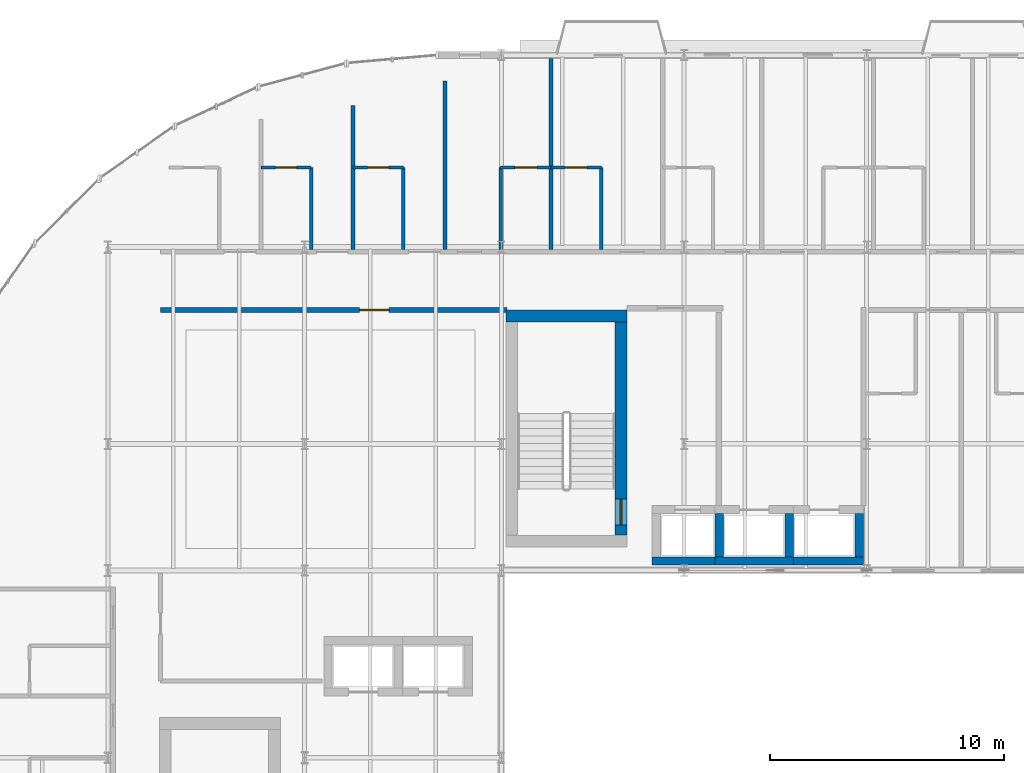
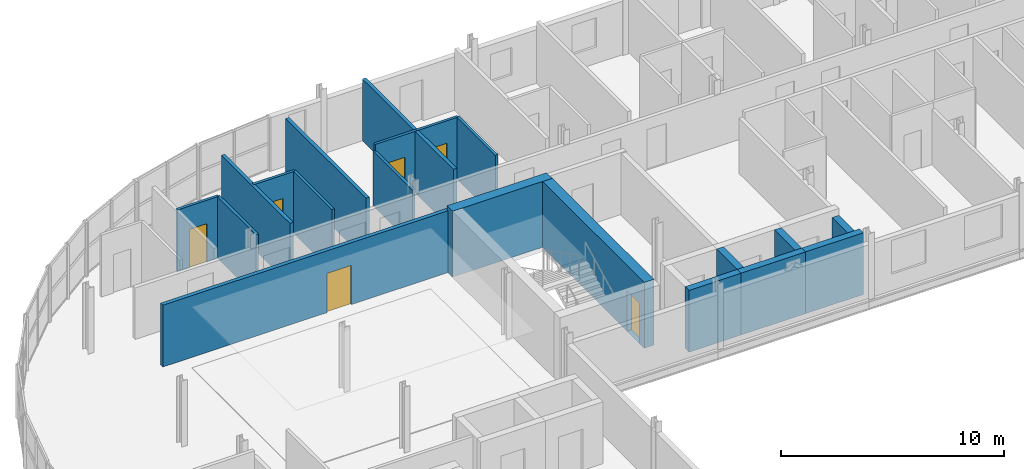
# One storey, part 19 of 30: 20 walls, 6 doors, 6 openings.
"""IFC4 building model written with IfcOpenShell, lengths in metres."""

from ifc_helpers import new_model, si_unit, direction, frame, frame_2d, origin, place, context, subcontext, project, spatial, rectangle, extrude, material, layer, layer_set, type_object, element, fill, save


model = new_model("IFC4")

# Units and contexts
model_context = context("Model", 3, precision=1e-05, world=origin(), true_north=direction((0.0, 1.0)))
body_context = subcontext(model_context, "Body", "Model", "MODEL_VIEW")
ifc_project = project(units=[si_unit("LENGTHUNIT", "METRE"), si_unit("AREAUNIT", "SQUARE_METRE"), si_unit("VOLUMEUNIT", "CUBIC_METRE"), si_unit("PLANEANGLEUNIT", "RADIAN"), si_unit("MASSUNIT", "GRAM", prefix="KILO")], contexts=[model_context])

# Site, building, storey
site_placement = place(None, origin())
site = spatial("IfcSite", under=ifc_project, at=site_placement, CompositionType="ELEMENT")
building_placement = place(site_placement, origin())
building = spatial("IfcBuilding", under=site, at=building_placement, Name="Sefraquen Railside Congress Hotel", CompositionType="ELEMENT")
storey_placement = place(building_placement, frame((0.0, 0.0, 35.39990234375)))
storey = spatial("IfcBuildingStorey", under=building, at=storey_placement, Name="L08", CompositionType="ELEMENT", Elevation=35.39990234375)

# Walls
ifc_material_1 = material(Name="Concrete C50/60", Category="concrete")
ifc_layer_1 = layer(ifc_material_1, 0.35009765625)
ifc_layer_set_1 = layer_set([ifc_layer_1], Name="Concrete C50/60")
wall_type_1 = type_object("IfcWallType", Name="TW-CW-350", PredefinedType="SHEAR", material=ifc_layer_set_1)
wall_1_placement = place(storey_placement, frame((31.639892578125, 96.405029296875, 0.0), z_axis=(0.0, 0.0, 1.0), x_axis=(1.0, 0.0, 0.0)))
element("IfcWall", 1, at=wall_1_placement, inside=storey, type_object=wall_type_1, Name="Lift FL-02 shaft wall S L08", PredefinedType="SHEAR", context=body_context, shape_type="SweptSolid", body=[
    extrude(rectangle(XDim=2.690185546875, YDim=0.35009765625, at=frame_2d((1.34521484375, 0.0))), origin(), (0.0, 0.0, 1.0), 3.380126953125),
])
wall_2_placement = place(storey_placement, frame((34.330078125, 96.405029296875, 0.0), z_axis=(0.0, 0.0, 1.0), x_axis=(1.0, 0.0, 0.0)))
element("IfcWall", 2, at=wall_2_placement, inside=storey, type_object=wall_type_1, Name="Lift PL-03 shaft wall S L08", PredefinedType="SHEAR", context=body_context, shape_type="SweptSolid", body=[
    extrude(rectangle(XDim=3.33984375, YDim=0.35009765625, at=frame_2d((1.669921875, 0.0))), origin(), (0.0, 0.0, 1.0), 3.380126953125),
])
for number, where, z_axis, x_axis, name in (
    (3, (34.5048828125, 96.580078125, 0.0), (0.0, 0.0, 1.0), (0.0, 1.0, 0.0), "Lift PL-03 shaft wall W L08"),
    (4, (37.4951171875, 96.580078125, 0.0), (0.0, 0.0, 1.0), (0.0, 1.0, 0.0), "Lift PL-03 shaft wall E L08"),
):
    element("IfcWall", number, at=place(storey_placement, frame(where, z_axis=z_axis, x_axis=x_axis)), inside=storey, type_object=wall_type_1, Name=name, PredefinedType="SHEAR", context=body_context, shape_type="SweptSolid", body=[
        extrude(rectangle(XDim=1.83984375, YDim=0.35009765625, at=frame_2d((0.919921875, 0.0))), origin(), (0.0, 0.0, 1.0), 3.380126953125),
    ])
wall_3_placement = place(storey_placement, frame((37.669921875, 96.405029296875, 0.0), z_axis=(0.0, 0.0, 1.0), x_axis=(1.0, 0.0, 0.0)))
element("IfcWall", 5, at=wall_3_placement, inside=storey, type_object=wall_type_1, Name="Lift PL-04 shaft wall S L08", PredefinedType="SHEAR", context=body_context, shape_type="SweptSolid", body=[
    extrude(rectangle(XDim=2.989990234375, YDim=0.35009765625, at=frame_2d((1.4951171875, 0.0))), origin(), (0.0, 0.0, 1.0), 3.380126953125),
])
wall_4_placement = place(storey_placement, frame((40.485107421875, 96.580078125, 0.0), z_axis=(0.0, 0.0, 1.0), x_axis=(0.0, 1.0, 0.0)))
element("IfcWall", 6, at=wall_4_placement, inside=storey, type_object=wall_type_1, Name="Lift PL-04 shaft wall E L08", PredefinedType="SHEAR", context=body_context, shape_type="SweptSolid", body=[
    extrude(rectangle(XDim=1.83984375, YDim=0.35009765625, at=frame_2d((0.919921875, 0.0))), origin(), (0.0, 0.0, 1.0), 3.010009765625),
])
ifc_layer_2 = layer(ifc_material_1, 0.5)
ifc_layer_set_2 = layer_set([ifc_layer_2], Name="Concrete C50/60")
wall_type_2 = type_object("IfcWallType", Name="TW-CW-500", PredefinedType="SHEAR", material=ifc_layer_set_2)
wall_5_placement = place(storey_placement, frame((25.39990234375, 106.862060546875, 0.0), z_axis=(0.0, 0.0, 1.0), x_axis=(1.0, 0.0, 0.0)))
element("IfcWall", 7, at=wall_5_placement, inside=storey, type_object=wall_type_2, Name="Core shear wall ST-H02 N L08", PredefinedType="SHEAR", context=body_context, shape_type="SweptSolid", body=[
    extrude(rectangle(XDim=5.16015625, YDim=0.5, at=frame_2d((2.580078125, 0.0))), origin(), (0.0, 0.0, 1.0), 3.60009765625),
])

# Wall, opening, door
wall_6_placement = place(storey_placement, frame((30.31005859375, 97.5, 0.0), z_axis=(0.0, 0.0, 1.0), x_axis=(0.0, 1.0, 0.0)))
wall_6 = element("IfcWall", 8, at=wall_6_placement, inside=storey, type_object=wall_type_2, Name="Core shear wall ST-H02 E L08", PredefinedType="SHEAR", context=body_context, shape_type="SweptSolid", body=[
    extrude(rectangle(XDim=9.112060546875, YDim=0.5, at=frame_2d((4.55615234375, 0.0))), origin(), (0.0, 0.0, 1.0), 3.60009765625),
])
opening_1_placement = place(wall_6_placement, frame((0.43994140625, 0.0, 0.0)))
opening_1 = element("IfcOpeningElement", 9, at=opening_1_placement, cuts=wall_6, Name="Opening FD-04", PredefinedType="OPENING", context=body_context, shape_type="SweptSolid", body=[
    extrude(rectangle(XDim=1.10009765625, YDim=2.199951171875, at=frame_2d((0.550048828125, 1.10009765625))), frame((0.0, 0.260009765625, 0.0), z_axis=(0.0, -1.0, 0.0), x_axis=(1.0, 0.0, 0.0)), (0.0, 0.0, 1.0), 0.52001953125),
])
ifc_material_2 = material(Name="Fire-rated steel", Category="steel")
door_type_1 = type_object("IfcDoorType", Name="TD-FD-04", OperationType="NOTDEFINED", PredefinedType="DOOR", material=ifc_material_2)
door_1_placement = place(opening_1_placement, origin())
door_1 = element("IfcDoor", 10, at=door_1_placement, inside=storey, type_object=door_type_1, Name="Pressurized stair ST-H02 fire door L08", OperationType="SINGLE_SWING_RIGHT", OverallHeight=2.199951171875, OverallWidth=1.10009765625, PredefinedType="DOOR", context=body_context, shape_type="SweptSolid", body=[
    extrude(rectangle(XDim=1.10009765625, YDim=2.199951171875, at=frame_2d((0.550048828125, 1.10009765625))), frame((0.0, 0.02490234375, 0.0), z_axis=(0.0, -1.0, 0.0), x_axis=(1.0, 0.0, 0.0)), (0.0, 0.0, 1.0), 0.050048828125),
])
fill(opening_1, door_1)

# Wall
ifc_material_3 = material(Name="Moisture-resistant gypsum board", Category="gypsum")
ifc_layer_3 = layer(ifc_material_3, 0.139892578125)
ifc_layer_set_3 = layer_set([ifc_layer_3], Name="Moisture-resistant gypsum board")
wall_type_3 = type_object("IfcWallType", Name="TW-PW-140", PredefinedType="PARTITIONING", material=ifc_layer_set_3)
wall_7_placement = place(storey_placement, frame((25.169921875, 109.699951171875, 0.0), z_axis=(0.0, 0.0, 1.0), x_axis=(0.0, 1.0, 0.0)))
element("IfcWall", 11, at=wall_7_placement, inside=storey, type_object=wall_type_3, Name="En-suite bathroom west wall RM-001", PredefinedType="PARTITIONING", context=body_context, shape_type="SweptSolid", body=[
    extrude(rectangle(XDim=3.5, YDim=0.139892578125, at=frame_2d((1.75, 0.0))), origin(), (0.0, 0.0, 1.0), 3.010009765625),
])

# Wall, opening, door
wall_8_placement = place(storey_placement, frame((25.169921875, 113.199951171875, 0.0), z_axis=(0.0, 0.0, 1.0), x_axis=(1.0, 0.0, 0.0)))
wall_8 = element("IfcWall", 12, at=wall_8_placement, inside=storey, type_object=wall_type_3, Name="En-suite bathroom north wall RM-001", PredefinedType="PARTITIONING", context=body_context, shape_type="SweptSolid", body=[
    extrude(rectangle(XDim=2.150146484375, YDim=0.139892578125, at=frame_2d((1.0751953125, 0.0))), origin(), (0.0, 0.0, 1.0), 3.380126953125),
])
opening_2_placement = place(wall_8_placement, frame((0.60498046875, 0.0, 0.0)))
opening_2 = element("IfcOpeningElement", 13, at=opening_2_placement, cuts=wall_8, Name="Opening ID-01", PredefinedType="OPENING", context=body_context, shape_type="SweptSolid", body=[
    extrude(rectangle(XDim=0.93994140625, YDim=2.14990234375, at=frame_2d((0.469970703125, 1.074951171875))), frame((0.0, 0.079833984375, 0.0), z_axis=(0.0, -1.0, 0.0), x_axis=(1.0, 0.0, 0.0)), (0.0, 0.0, 1.0), 0.159912109375),
])
ifc_material_4 = material(Name="Lacquered cedar joinery", Category="wood")
door_type_2 = type_object("IfcDoorType", Name="TD-ID-01", OperationType="NOTDEFINED", PredefinedType="DOOR", material=ifc_material_4)
door_2_placement = place(opening_2_placement, origin())
door_2 = element("IfcDoor", 14, at=door_2_placement, inside=storey, type_object=door_type_2, Name="En-suite bathroom door RM-001", OperationType="SINGLE_SWING_LEFT", OverallHeight=2.14990234375, OverallWidth=0.93994140625, PredefinedType="DOOR", context=body_context, shape_type="SweptSolid", body=[
    extrude(rectangle(XDim=0.93994140625, YDim=2.14990234375, at=frame_2d((0.469970703125, 1.074951171875))), frame((0.0, 0.02490234375, 0.0), z_axis=(0.0, -1.0, 0.0), x_axis=(1.0, 0.0, 0.0)), (0.0, 0.0, 1.0), 0.050048828125),
])
fill(opening_2, door_2)

# Wall
wall_9_placement = place(storey_placement, frame((29.469970703125, 109.699951171875, 0.0), z_axis=(0.0, 0.0, 1.0), x_axis=(0.0, 1.0, 0.0)))
element("IfcWall", 15, at=wall_9_placement, inside=storey, type_object=wall_type_3, Name="En-suite bathroom east wall RM-002", PredefinedType="PARTITIONING", context=body_context, shape_type="SweptSolid", body=[
    extrude(rectangle(XDim=3.5, YDim=0.139892578125, at=frame_2d((1.75, 0.0))), origin(), (0.0, 0.0, 1.0), 3.380126953125),
])

# Wall, opening, door
wall_10_placement = place(storey_placement, frame((27.320068359375, 113.199951171875, 0.0), z_axis=(0.0, 0.0, 1.0), x_axis=(1.0, 0.0, 0.0)))
wall_10 = element("IfcWall", 16, at=wall_10_placement, inside=storey, type_object=wall_type_3, Name="En-suite bathroom north wall RM-002", PredefinedType="PARTITIONING", context=body_context, shape_type="SweptSolid", body=[
    extrude(rectangle(XDim=2.14990234375, YDim=0.139892578125, at=frame_2d((1.074951171875, 0.0))), origin(), (0.0, 0.0, 1.0), 3.380126953125),
])
opening_3_placement = place(wall_10_placement, frame((0.60498046875, 0.0, 0.0)))
opening_3 = element("IfcOpeningElement", 17, at=opening_3_placement, cuts=wall_10, Name="Opening ID-01", PredefinedType="OPENING", context=body_context, shape_type="SweptSolid", body=[
    extrude(rectangle(XDim=0.93994140625, YDim=2.14990234375, at=frame_2d((0.469970703125, 1.074951171875))), frame((0.0, 0.079833984375, 0.0), z_axis=(0.0, -1.0, 0.0), x_axis=(1.0, 0.0, 0.0)), (0.0, 0.0, 1.0), 0.159912109375),
])
door_3_placement = place(opening_3_placement, origin())
door_3 = element("IfcDoor", 18, at=door_3_placement, inside=storey, type_object=door_type_2, Name="En-suite bathroom door RM-002", OperationType="SINGLE_SWING_LEFT", OverallHeight=2.14990234375, OverallWidth=0.93994140625, PredefinedType="DOOR", context=body_context, shape_type="SweptSolid", body=[
    extrude(rectangle(XDim=0.93994140625, YDim=2.14990234375, at=frame_2d((0.469970703125, 1.074951171875))), frame((0.0, 0.02490234375, 0.0), z_axis=(0.0, -1.0, 0.0), x_axis=(1.0, 0.0, 0.0)), (0.0, 0.0, 1.0), 0.050048828125),
])
fill(opening_3, door_3)

# Wall
wall_11_placement = place(storey_placement, frame((17.0830078125, 109.699951171875, 0.0), z_axis=(0.0, 0.0, 1.0), x_axis=(0.0, 1.0, 0.0)))
element("IfcWall", 19, at=wall_11_placement, inside=storey, type_object=wall_type_3, Name="En-suite bathroom east wall RM-035", PredefinedType="PARTITIONING", context=body_context, shape_type="SweptSolid", body=[
    extrude(rectangle(XDim=3.5, YDim=0.139892578125, at=frame_2d((1.75, 0.0))), origin(), (0.0, 0.0, 1.0), 3.380126953125),
])

# Wall, opening, door
wall_12_placement = place(storey_placement, frame((14.93310546875, 113.199951171875, 0.0), z_axis=(0.0, 0.0, 1.0), x_axis=(1.0, 0.0, 0.0)))
wall_12 = element("IfcWall", 20, at=wall_12_placement, inside=storey, type_object=wall_type_3, Name="En-suite bathroom north wall RM-035", PredefinedType="PARTITIONING", context=body_context, shape_type="SweptSolid", body=[
    extrude(rectangle(XDim=2.14990234375, YDim=0.139892578125, at=frame_2d((1.074951171875, 0.0))), origin(), (0.0, 0.0, 1.0), 3.380126953125),
])
opening_4_placement = place(wall_12_placement, frame((0.625, 0.0, 0.0)))
opening_4 = element("IfcOpeningElement", 21, at=opening_4_placement, cuts=wall_12, Name="Opening ID-02", PredefinedType="OPENING", context=body_context, shape_type="SweptSolid", body=[
    extrude(rectangle(XDim=0.89990234375, YDim=2.10009765625, at=frame_2d((0.449951171875, 1.050048828125))), frame((0.0, 0.079833984375, 0.0), z_axis=(0.0, -1.0, 0.0), x_axis=(1.0, 0.0, 0.0)), (0.0, 0.0, 1.0), 0.159912109375),
])
door_type_3 = type_object("IfcDoorType", Name="TD-ID-02", OperationType="NOTDEFINED", PredefinedType="DOOR", material=ifc_material_4)
door_4_placement = place(opening_4_placement, origin())
door_4 = element("IfcDoor", 22, at=door_4_placement, inside=storey, type_object=door_type_3, Name="En-suite bathroom door RM-035", OperationType="SINGLE_SWING_LEFT", OverallHeight=2.10009765625, OverallWidth=0.89990234375, PredefinedType="DOOR", context=body_context, shape_type="SweptSolid", body=[
    extrude(rectangle(XDim=0.89990234375, YDim=2.10009765625, at=frame_2d((0.449951171875, 1.050048828125))), frame((0.0, 0.02490234375, 0.0), z_axis=(0.0, -1.0, 0.0), x_axis=(1.0, 0.0, 0.0)), (0.0, 0.0, 1.0), 0.050048828125),
])
fill(opening_4, door_4)

# Wall
wall_13_placement = place(storey_placement, frame((21.01708984375, 109.699951171875, 0.0), z_axis=(0.0, 0.0, 1.0), x_axis=(0.0, 1.0, 0.0)))
element("IfcWall", 23, at=wall_13_placement, inside=storey, type_object=wall_type_3, Name="En-suite bathroom east wall RM-036", PredefinedType="PARTITIONING", context=body_context, shape_type="SweptSolid", body=[
    extrude(rectangle(XDim=3.5, YDim=0.139892578125, at=frame_2d((1.75, 0.0))), origin(), (0.0, 0.0, 1.0), 3.380126953125),
])

# Wall, opening, door
wall_14_placement = place(storey_placement, frame((18.866943359375, 113.199951171875, 0.0), z_axis=(0.0, 0.0, 1.0), x_axis=(1.0, 0.0, 0.0)))
wall_14 = element("IfcWall", 24, at=wall_14_placement, inside=storey, type_object=wall_type_3, Name="En-suite bathroom north wall RM-036", PredefinedType="PARTITIONING", context=body_context, shape_type="SweptSolid", body=[
    extrude(rectangle(XDim=2.150146484375, YDim=0.139892578125, at=frame_2d((1.0751953125, 0.0))), origin(), (0.0, 0.0, 1.0), 3.380126953125),
])
opening_5_placement = place(wall_14_placement, frame((0.625, 0.0, 0.0)))
opening_5 = element("IfcOpeningElement", 25, at=opening_5_placement, cuts=wall_14, Name="Opening ID-02", PredefinedType="OPENING", context=body_context, shape_type="SweptSolid", body=[
    extrude(rectangle(XDim=0.89990234375, YDim=2.10009765625, at=frame_2d((0.449951171875, 1.050048828125))), frame((0.0, 0.079833984375, 0.0), z_axis=(0.0, -1.0, 0.0), x_axis=(1.0, 0.0, 0.0)), (0.0, 0.0, 1.0), 0.159912109375),
])
door_5_placement = place(opening_5_placement, origin())
door_5 = element("IfcDoor", 26, at=door_5_placement, inside=storey, type_object=door_type_3, Name="En-suite bathroom door RM-036", OperationType="SINGLE_SWING_RIGHT", OverallHeight=2.10009765625, OverallWidth=0.89990234375, PredefinedType="DOOR", context=body_context, shape_type="SweptSolid", body=[
    extrude(rectangle(XDim=0.89990234375, YDim=2.10009765625, at=frame_2d((0.449951171875, 1.050048828125))), frame((0.0, 0.02490234375, 0.0), z_axis=(0.0, -1.0, 0.0), x_axis=(1.0, 0.0, 0.0)), (0.0, 0.0, 1.0), 0.050048828125),
])
fill(opening_5, door_5)

# Walls
ifc_material_5 = material(Name="Acoustic gypsum board on metal stud", Category="gypsum")
ifc_layer_4 = layer(ifc_material_5, 0.179931640625)
ifc_layer_set_4 = layer_set([ifc_layer_4], Name="Acoustic gypsum board on metal stud")
wall_type_4 = type_object("IfcWallType", Name="TW-PW-180", PredefinedType="PARTITIONING", material=ifc_layer_set_4)
wall_15_placement = place(storey_placement, frame((27.320068359375, 109.699951171875, 0.0), z_axis=(0.0, 0.0, 1.0), x_axis=(0.0, 1.0, 0.0)))
element("IfcWall", 27, at=wall_15_placement, inside=storey, type_object=wall_type_4, Name="Guest room demising wall RM-001", PredefinedType="PARTITIONING", context=body_context, shape_type="SweptSolid", body=[
    extrude(rectangle(XDim=8.150146484375, YDim=0.179931640625, at=frame_2d((4.0751953125, 0.0))), origin(), (0.0, 0.0, 1.0), 3.380126953125),
])
wall_16_placement = place(storey_placement, frame((18.866943359375, 109.699951171875, 0.0), z_axis=(0.0, 0.0, 1.0), x_axis=(0.0, 1.0, 0.0)))
element("IfcWall", 28, at=wall_16_placement, inside=storey, type_object=wall_type_4, Name="Guest room demising wall RM-035", PredefinedType="PARTITIONING", context=body_context, shape_type="SweptSolid", body=[
    extrude(rectangle(XDim=6.150146484375, YDim=0.179931640625, at=frame_2d((3.0751953125, 0.0))), origin(), (0.0, 0.0, 1.0), 3.380126953125),
])
wall_17_placement = place(storey_placement, frame((22.800048828125, 109.699951171875, 0.0), z_axis=(0.0, 0.0, 1.0), x_axis=(0.0, 1.0, 0.0)))
element("IfcWall", 29, at=wall_17_placement, inside=storey, type_object=wall_type_4, Name="Guest room demising wall RM-036", PredefinedType="PARTITIONING", context=body_context, shape_type="SweptSolid", body=[
    extrude(rectangle(XDim=7.199951171875, YDim=0.179931640625, at=frame_2d((3.60009765625, 0.0))), origin(), (0.0, 0.0, 1.0), 3.380126953125),
])

# Wall, opening, door
ifc_layer_5 = layer(ifc_material_5, 0.199951171875)
ifc_layer_set_5 = layer_set([ifc_layer_5], Name="Acoustic gypsum board on metal stud")
wall_type_5 = type_object("IfcWallType", Name="TW-PW-200", PredefinedType="PARTITIONING", material=ifc_layer_set_5)
wall_18_placement = place(storey_placement, frame((10.64990234375, 107.1201171875, 0.0), z_axis=(0.0, 0.0, 1.0), x_axis=(1.0, 0.0, 0.0)))
wall_18 = element("IfcWall", 30, at=wall_18_placement, inside=storey, type_object=wall_type_5, Name="Hotel L08 south-west corridor fire-rated partition", PredefinedType="PARTITIONING", context=body_context, shape_type="SweptSolid", body=[
    extrude(rectangle(XDim=14.800048828125, YDim=0.199951171875, at=frame_2d((7.39990234375, 0.0))), origin(), (0.0, 0.0, 1.0), 3.380126953125),
])
opening_6_placement = place(wall_18_placement, frame((8.5, 0.0, 0.0)))
opening_6 = element("IfcOpeningElement", 31, at=opening_6_placement, cuts=wall_18, Name="Opening ID-05", PredefinedType="OPENING", context=body_context, shape_type="SweptSolid", body=[
    extrude(rectangle(XDim=1.25, YDim=2.14990234375, at=frame_2d((0.625, 1.074951171875))), frame((0.0, 0.10986328125, 0.0), z_axis=(0.0, -1.0, 0.0), x_axis=(1.0, 0.0, 0.0)), (0.0, 0.0, 1.0), 0.219970703125),
])
ifc_material_6 = material(Name="Brushed steel", Category="steel")
door_type_4 = type_object("IfcDoorType", Name="TD-ID-05", OperationType="NOTDEFINED", PredefinedType="DOOR", material=ifc_material_6)
door_6_placement = place(opening_6_placement, frame((1.25, 0.0, 0.0), z_axis=(0.0, 0.0, 1.0), x_axis=(-1.0, 0.0, 0.0)))
door_6 = element("IfcDoor", 32, at=door_6_placement, inside=storey, type_object=door_type_4, Name="Valet pantry service door L08", OperationType="SINGLE_SWING_LEFT", OverallHeight=2.14990234375, OverallWidth=1.25, PredefinedType="DOOR", context=body_context, shape_type="SweptSolid", body=[
    extrude(rectangle(XDim=1.25, YDim=2.14990234375, at=frame_2d((0.625, 1.074951171875))), frame((0.0, 0.02490234375, 0.0), z_axis=(0.0, -1.0, 0.0), x_axis=(1.0, 0.0, 0.0)), (0.0, 0.0, 1.0), 0.050048828125),
])
fill(opening_6, door_6)

save(model, "model.ifc")
